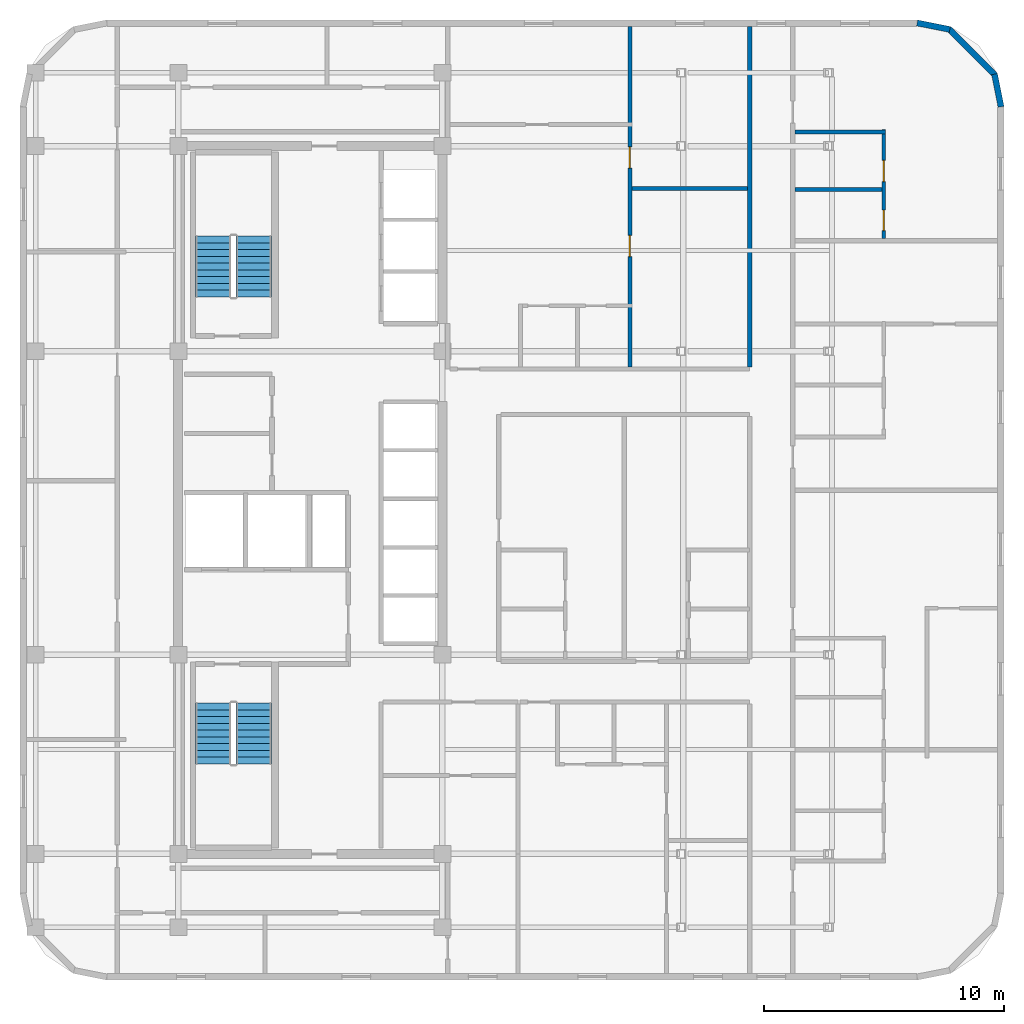
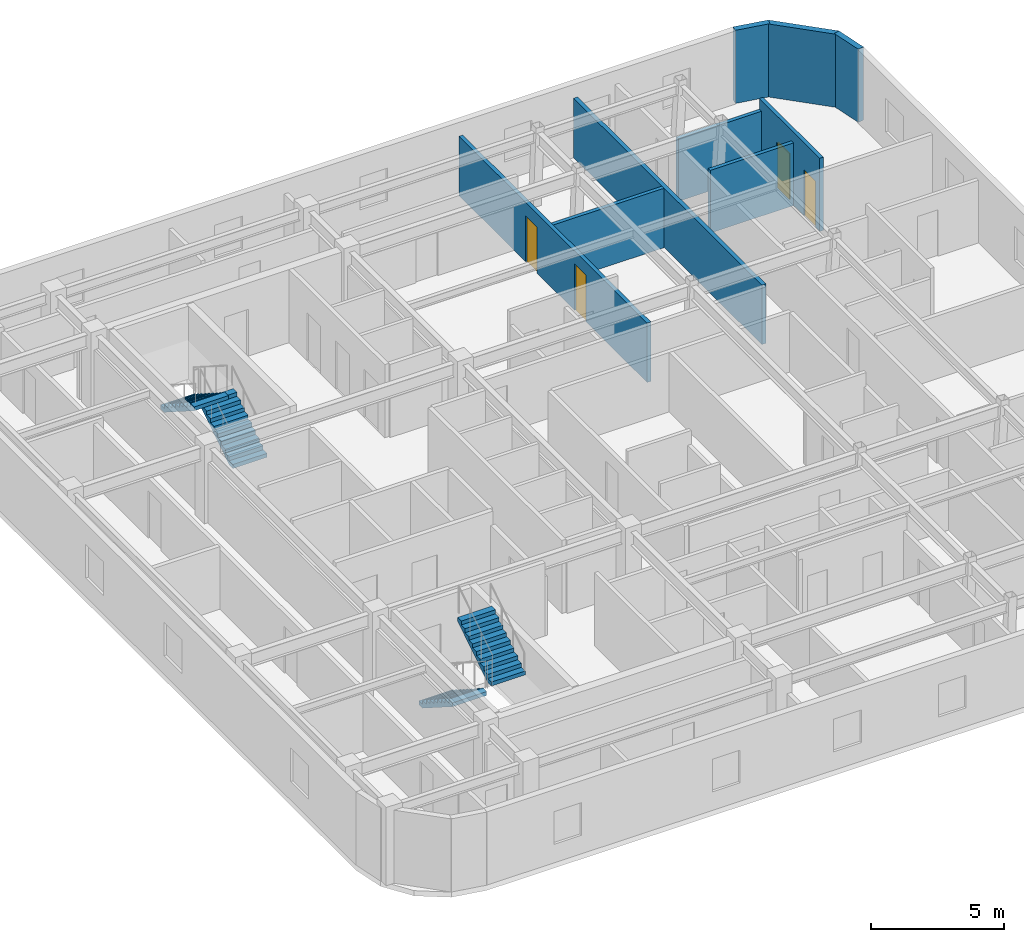
# One storey, part 7 of 8: 9 walls, 4 doors, 4 stair flights, 4 openings, 2 elements without a shape of their own.
"""IFC4 building model written with IfcOpenShell, lengths in metres."""

from ifc_helpers import new_model, si_unit, direction, frame, frame_2d, origin, place, context, subcontext, project, spatial, polyline, rectangle, outline, extrude, material, layer, layer_set, type_object, element, fill, aggregate, save


model = new_model("IFC4")

# Units and contexts
model_context = context("Model", 3, precision=1e-05, world=origin(), true_north=direction((0.0, 1.0)))
body_context = subcontext(model_context, "Body", "Model", "MODEL_VIEW")
ifc_project = project(units=[si_unit("LENGTHUNIT", "METRE"), si_unit("AREAUNIT", "SQUARE_METRE"), si_unit("VOLUMEUNIT", "CUBIC_METRE"), si_unit("PLANEANGLEUNIT", "RADIAN"), si_unit("MASSUNIT", "GRAM", prefix="KILO")], contexts=[model_context])

# Site, building, storey
site_placement = place(None, origin())
site = spatial("IfcSite", under=ifc_project, at=site_placement, CompositionType="ELEMENT")
building_placement = place(site_placement, origin())
building = spatial("IfcBuilding", under=site, at=building_placement, Name="Ochreholt Gables", CompositionType="ELEMENT")
storey_placement = place(building_placement, frame((0.0, 0.0, 148.199951171875)))
storey = spatial("IfcBuildingStorey", under=building, at=storey_placement, Name="L38", CompositionType="ELEMENT", Elevation=148.199951171875)

# Walls
ifc_material_1 = material(Name="Precast concrete 40 MPa", Category="concrete")
ifc_layer_1 = layer(ifc_material_1, 0.25, Name="Precast concrete 40 MPa")
ifc_layer_set_1 = layer_set([ifc_layer_1], Name="Precast concrete 40 MPa")
wall_type_1 = type_object("IfcWallType", Name="WALL-EXT-CNR", PredefinedType="SOLIDWALL", material=ifc_layer_set_1)
wall_1_placement = place(storey_placement, frame((58.475830078125, 40.383544921875, 0.0), z_axis=(0.0, 0.0, 1.0), x_axis=(-0.19496651342, 0.980809899341, 0.0)))
element("IfcWall", 1, at=wall_1_placement, inside=storey, type_object=wall_type_1, Name="L38 Rounded Corner Wall NE-1", PredefinedType="SOLIDWALL", context=body_context, shape_type="SweptSolid", body=[
    extrude(rectangle(XDim=1.388671875, YDim=0.25, at=frame_2d((0.6943359375, 0.0))), origin(), (0.0, 0.0, 1.0), 3.360107421875),
])
wall_2_placement = place(storey_placement, frame((58.23193359375, 41.695068359375, 0.0), z_axis=(0.0, 0.0, 1.0), x_axis=(-0.707106781187, 0.707106781187, 0.0)))
element("IfcWall", 2, at=wall_2_placement, inside=storey, type_object=wall_type_1, Name="L38 Rounded Corner Wall NE-2", PredefinedType="SOLIDWALL", context=body_context, shape_type="SweptSolid", body=[
    extrude(rectangle(XDim=2.7392578125, YDim=0.25, at=frame_2d((1.36962890625, 0.0))), origin(), (0.0, 0.0, 1.0), 3.360107421875),
])
wall_3_placement = place(storey_placement, frame((56.345458984375, 43.60498046875, 0.0), z_axis=(0.0, 0.0, 1.0), x_axis=(-0.980809899341, 0.19496651342, 0.0)))
element("IfcWall", 3, at=wall_3_placement, inside=storey, type_object=wall_type_1, Name="L38 Rounded Corner Wall NE-3", PredefinedType="SOLIDWALL", context=body_context, shape_type="SweptSolid", body=[
    extrude(rectangle(XDim=1.388671875, YDim=0.25, at=frame_2d((0.6943359375, 0.0))), origin(), (0.0, 0.0, 1.0), 3.360107421875),
])
ifc_material_2 = material(Name="Fire-Rated Gypsum Acoustic Partition", Category="gypsum")
ifc_layer_2 = layer(ifc_material_2, 0.179931640625, Name="Fire-Rated Gypsum Acoustic Partition")
ifc_layer_set_2 = layer_set([ifc_layer_2], Name="Fire-Rated Gypsum Acoustic Partition")
wall_type_2 = type_object("IfcWallType", Name="WALL-INT-CR180", PredefinedType="STANDARD", material=ifc_layer_set_2)
wall_4_placement = place(storey_placement, frame((48.0, 29.550048828125, 0.0), z_axis=(0.0, 0.0, 1.0), x_axis=(0.0, 1.0, 0.0)))
element("IfcWall", 4, at=wall_4_placement, inside=storey, type_object=wall_type_2, Name="L38 Interior Wall WI-C2FEGW3-L38", PredefinedType="STANDARD", context=body_context, shape_type="SweptSolid", body=[
    extrude(rectangle(XDim=14.169921875, YDim=0.179931640625, at=frame_2d((7.0849609375, 0.0))), origin(), (0.0, 0.0, 1.0), 2.72998046875),
])
ifc_material_3 = material(Name="Moisture-Resistant Plumbing Chase Wall", Category="gypsum")
ifc_layer_3 = layer(ifc_material_3, 0.159912109375, Name="Moisture-Resistant Plumbing Chase Wall")
ifc_layer_set_3 = layer_set([ifc_layer_3], Name="Moisture-Resistant Plumbing Chase Wall")
wall_type_3 = type_object("IfcWallType", Name="WALL-INT-PL160", PredefinedType="PLUMBINGWALL", material=ifc_layer_set_3)
wall_5_placement = place(storey_placement, frame((49.889892578125, 39.340087890625, 0.0), z_axis=(0.0, 0.0, 1.0), x_axis=(1.0, 0.0, 0.0)))
element("IfcWall", 5, at=wall_5_placement, inside=storey, type_object=wall_type_3, Name="L38 Interior Wall WU-L38FE4-WYN", PredefinedType="PLUMBINGWALL", context=body_context, shape_type="SweptSolid", body=[
    extrude(rectangle(XDim=3.780029296875, YDim=0.159912109375, at=frame_2d((1.89013671875, 0.0))), origin(), (0.0, 0.0, 1.0), 2.879150390625),
])

# Wall, openings, doors
wall_6_placement = place(storey_placement, frame((53.590087890625, 34.889892578125, 0.0), z_axis=(0.0, 0.0, 1.0), x_axis=(0.0, 1.0, 0.0)))
wall_6 = element("IfcWall", 6, at=wall_6_placement, inside=storey, type_object=wall_type_3, Name="L38 Interior Wall WU-L38FE4-WX", PredefinedType="PLUMBINGWALL", context=body_context, shape_type="SweptSolid", body=[
    extrude(rectangle(XDim=4.5400390625, YDim=0.159912109375, at=frame_2d((2.27001953125, 0.0))), origin(), (0.0, 0.0, 1.0), 3.360107421875),
])
opening_1_placement = place(wall_6_placement, frame((0.330078125, 0.0, 0.0)))
opening_1 = element("IfcOpeningElement", 7, at=opening_1_placement, cuts=wall_6, Name="Opening D-BT1", PredefinedType="OPENING", context=body_context, shape_type="SweptSolid", body=[
    extrude(rectangle(XDim=0.860107421875, YDim=2.1201171875, at=frame_2d((0.43017578125, 1.06005859375))), frame((0.0, 0.08984375, 0.0), z_axis=(0.0, -1.0, 0.0), x_axis=(1.0, 0.0, 0.0)), (0.0, 0.0, 1.0), 0.179931640625),
])
opening_2_placement = place(wall_6_placement, frame((2.376953125, 0.0, 0.0)))
opening_2 = element("IfcOpeningElement", 8, at=opening_2_placement, cuts=wall_6, Name="Opening D-GN2", PredefinedType="OPENING", context=body_context, shape_type="SweptSolid", body=[
    extrude(rectangle(XDim=0.8798828125, YDim=2.1201171875, at=frame_2d((0.43994140625, 1.06005859375))), frame((0.0, 0.08984375, 0.0), z_axis=(0.0, -1.0, 0.0), x_axis=(1.0, 0.0, 0.0)), (0.0, 0.0, 1.0), 0.179931640625),
])
ifc_material_4 = material(Name="Engineered Oak Timber", Category="wood")
door_type_1 = type_object("IfcDoorType", Name="DR-INT-BTH860", OperationType="NOTDEFINED", PredefinedType="DOOR", material=ifc_material_4)
door_1_placement = place(opening_1_placement, origin())
door_1 = element("IfcDoor", 9, at=door_1_placement, inside=storey, type_object=door_type_1, Name="L38 Door D-U-L38FE4-BTH", OperationType="SINGLE_SWING_RIGHT", OverallHeight=2.1201171875, OverallWidth=0.860107421875, PredefinedType="DOOR", context=body_context, shape_type="SweptSolid", body=[
    extrude(rectangle(XDim=0.860107421875, YDim=2.1201171875, at=frame_2d((0.43017578125, 1.06005859375))), frame((0.0, 0.02490234375, 0.0), z_axis=(0.0, -1.0, 0.0), x_axis=(1.0, 0.0, 0.0)), (0.0, 0.0, 1.0), 0.050048828125),
])
fill(opening_1, door_1)
door_type_2 = type_object("IfcDoorType", Name="DR-INT-GEN880", OperationType="NOTDEFINED", PredefinedType="DOOR", material=ifc_material_4)
door_2_placement = place(opening_2_placement, origin())
door_2 = element("IfcDoor", 10, at=door_2_placement, inside=storey, type_object=door_type_2, Name="L38 Door D-U-L38FE4-KIT", OperationType="SINGLE_SWING_LEFT", OverallHeight=2.1201171875, OverallWidth=0.8798828125, PredefinedType="DOOR", context=body_context, shape_type="SweptSolid", body=[
    extrude(rectangle(XDim=0.8798828125, YDim=2.1201171875, at=frame_2d((0.43994140625, 1.06005859375))), frame((0.0, 0.02490234375, 0.0), z_axis=(0.0, -1.0, 0.0), x_axis=(1.0, 0.0, 0.0)), (0.0, 0.0, 1.0), 0.050048828125),
])
fill(opening_2, door_2)

# Wall
wall_7_placement = place(storey_placement, frame((49.889892578125, 36.93701171875, 0.0), z_axis=(0.0, 0.0, 1.0), x_axis=(1.0, 0.0, 0.0)))
element("IfcWall", 11, at=wall_7_placement, inside=storey, type_object=wall_type_3, Name="L38 Interior Wall WU-L38FE4-WM", PredefinedType="PLUMBINGWALL", context=body_context, shape_type="SweptSolid", body=[
    extrude(rectangle(XDim=3.6201171875, YDim=0.159912109375, at=frame_2d((1.81005859375, 0.0))), origin(), (0.0, 0.0, 1.0), 2.879150390625),
])

# Wall, openings, doors
ifc_material_5 = material(Name="Gypsum Acoustic Stud Partition", Category="gypsum")
ifc_layer_4 = layer(ifc_material_5, 0.1650390625, Name="Gypsum Acoustic Stud Partition")
ifc_layer_set_4 = layer_set([ifc_layer_4], Name="Gypsum Acoustic Stud Partition")
wall_type_4 = type_object("IfcWallType", Name="WALL-INT-PT165", PredefinedType="PARTITIONING", material=ifc_layer_set_4)
wall_8_placement = place(storey_placement, frame((43.010009765625, 29.550048828125, 0.0), z_axis=(0.0, 0.0, 1.0), x_axis=(0.0, 1.0, 0.0)))
wall_8 = element("IfcWall", 12, at=wall_8_placement, inside=storey, type_object=wall_type_4, Name="L38 Interior Wall WU-L38N1-MNX", PredefinedType="PARTITIONING", context=body_context, shape_type="SweptSolid", body=[
    extrude(rectangle(XDim=14.169921875, YDim=0.1650390625, at=frame_2d((7.0849609375, 0.0))), origin(), (0.0, 0.0, 1.0), 2.72998046875),
])
opening_3_placement = place(wall_8_placement, frame((4.592529296875, 0.0, 0.0)))
opening_3 = element("IfcOpeningElement", 13, at=opening_3_placement, cuts=wall_8, Name="Opening D-BD2", PredefinedType="OPENING", context=body_context, shape_type="SweptSolid", body=[
    extrude(rectangle(XDim=0.8798828125, YDim=2.139892578125, at=frame_2d((0.43994140625, 1.06982421875))), frame((0.0, 0.092529296875, 0.0), z_axis=(0.0, -1.0, 0.0), x_axis=(1.0, 0.0, 0.0)), (0.0, 0.0, 1.0), 0.18505859375),
])
opening_4_placement = place(wall_8_placement, frame((8.280029296875, 0.0, 0.0)))
opening_4 = element("IfcOpeningElement", 14, at=opening_4_placement, cuts=wall_8, Name="Opening D-GN2", PredefinedType="OPENING", context=body_context, shape_type="SweptSolid", body=[
    extrude(rectangle(XDim=0.8798828125, YDim=2.1201171875, at=frame_2d((0.43994140625, 1.06005859375))), frame((0.0, 0.092529296875, 0.0), z_axis=(0.0, -1.0, 0.0), x_axis=(1.0, 0.0, 0.0)), (0.0, 0.0, 1.0), 0.18505859375),
])
door_type_3 = type_object("IfcDoorType", Name="DR-INT-BED880", OperationType="NOTDEFINED", PredefinedType="DOOR", material=ifc_material_4)
door_3_placement = place(opening_3_placement, origin())
door_3 = element("IfcDoor", 15, at=door_3_placement, inside=storey, type_object=door_type_3, Name="L38 Door D-U-L38N1-BD1", OperationType="SINGLE_SWING_LEFT", OverallHeight=2.139892578125, OverallWidth=0.8798828125, PredefinedType="DOOR", context=body_context, shape_type="SweptSolid", body=[
    extrude(rectangle(XDim=0.8798828125, YDim=2.139892578125, at=frame_2d((0.43994140625, 1.06982421875))), frame((0.0, 0.02490234375, 0.0), z_axis=(0.0, -1.0, 0.0), x_axis=(1.0, 0.0, 0.0)), (0.0, 0.0, 1.0), 0.050048828125),
])
fill(opening_3, door_3)
door_4_placement = place(opening_4_placement, origin())
door_4 = element("IfcDoor", 16, at=door_4_placement, inside=storey, type_object=door_type_2, Name="L38 Door D-U-L38N1-BD2", OperationType="SINGLE_SWING_RIGHT", OverallHeight=2.1201171875, OverallWidth=0.8798828125, PredefinedType="DOOR", context=body_context, shape_type="SweptSolid", body=[
    extrude(rectangle(XDim=0.8798828125, YDim=2.1201171875, at=frame_2d((0.43994140625, 1.06005859375))), frame((0.0, 0.02490234375, 0.0), z_axis=(0.0, -1.0, 0.0), x_axis=(1.0, 0.0, 0.0)), (0.0, 0.0, 1.0), 0.050048828125),
])
fill(opening_4, door_4)

# Wall
wall_9_placement = place(storey_placement, frame((43.090087890625, 36.97998046875, 0.0), z_axis=(0.0, 0.0, 1.0), x_axis=(1.0, 0.0, 0.0)))
element("IfcWall", 17, at=wall_9_placement, inside=storey, type_object=wall_type_4, Name="L38 Interior Wall WU-L38N1-RDV", PredefinedType="PARTITIONING", context=body_context, shape_type="SweptSolid", body=[
    extrude(rectangle(XDim=4.81982421875, YDim=0.1650390625, at=frame_2d((2.409912109375, 0.0))), origin(), (0.0, 0.0, 1.0), 2.72998046875),
])

# Stair, stair flights
ifc_material_6 = material(Name="Concrete 40 MPa", Category="concrete")
stair_type_1 = type_object("IfcStairType", Name="STAIR-CORE-ST-1", PredefinedType="HALF_TURN_STAIR", material=ifc_material_6)
stair_1_placement = place(storey_placement, origin())
stair_1 = element("IfcStair", 18, at=stair_1_placement, inside=storey, type_object=stair_type_1, Name="L38 Core Exit Stair 1", PredefinedType="HALF_TURN_STAIR")
stair_flight_type = type_object("IfcStairFlightType", Name="FLIGHT-ST-1480-1800", PredefinedType="STRAIGHT", material=ifc_material_6)
stair_flight_1_placement = place(storey_placement, frame((25.659912109375, 15.5400390625, 0.0), z_axis=(0.0, 0.0, 1.0), x_axis=(0.0, -1.0, 0.0)))
stair_flight_1 = element("IfcStairFlight", 19, at=stair_flight_1_placement, type_object=stair_flight_type, Name="ST-1 flight 1", NumberOfRisers=10, NumberOfTreads=9, PredefinedType="STRAIGHT", RiserHeight=0.18, TreadLength=0.282, context=body_context, shape_type="SweptSolid", body=[
    extrude(outline(polyline([(0.0, 0.0), (0.0, 0.179931640625), (0.281982421875, 0.179931640625), (0.281982421875, 0.360107421875), (0.56396484375, 0.360107421875), (0.56396484375, 0.5400390625), (0.845947265625, 0.5400390625), (0.845947265625, 0.719970703125), (1.1279296875, 0.719970703125), (1.1279296875, 0.89990234375), (1.409912109375, 0.89990234375), (1.409912109375, 1.080078125), (1.69189453125, 1.080078125), (1.69189453125, 1.260009765625), (1.97412109375, 1.260009765625), (1.97412109375, 1.43994140625), (2.256103515625, 1.43994140625), (2.256103515625, 1.6201171875), (2.5380859375, 1.6201171875), (2.5380859375, 1.800048828125), (2.5380859375, 1.442138671875), (0.278564453125, 0.0), (0.0, 0.0)])), frame((0.0, 0.739990234375, 0.0), z_axis=(0.0, -1.0, 0.0), x_axis=(1.0, 0.0, 0.0)), (0.0, 0.0, 1.0), 1.47998046875),
])
stair_flight_2_placement = place(storey_placement, frame((27.340087890625, 13.001953125, 1.800048828125), z_axis=(0.0, 0.0, 1.0), x_axis=(0.0, 1.0, 0.0)))
stair_flight_2 = element("IfcStairFlight", 20, at=stair_flight_2_placement, type_object=stair_flight_type, Name="ST-1 flight 2", NumberOfRisers=10, NumberOfTreads=9, PredefinedType="STRAIGHT", RiserHeight=0.18, TreadLength=0.282, context=body_context, shape_type="SweptSolid", body=[
    extrude(outline(polyline([(0.0, 0.0), (0.0, 0.179931640625), (0.281982421875, 0.179931640625), (0.281982421875, 0.360107421875), (0.56396484375, 0.360107421875), (0.56396484375, 0.5400390625), (0.845947265625, 0.5400390625), (0.845947265625, 0.719970703125), (1.1279296875, 0.719970703125), (1.1279296875, 0.89990234375), (1.409912109375, 0.89990234375), (1.409912109375, 1.080078125), (1.69189453125, 1.080078125), (1.69189453125, 1.260009765625), (1.97412109375, 1.260009765625), (1.97412109375, 1.43994140625), (2.256103515625, 1.43994140625), (2.256103515625, 1.6201171875), (2.5380859375, 1.6201171875), (2.5380859375, 1.800048828125), (2.5380859375, 1.442138671875), (0.278564453125, 0.0), (0.0, 0.0)])), frame((0.0, 0.739990234375, 0.0), z_axis=(0.0, -1.0, 0.0), x_axis=(1.0, 0.0, 0.0)), (0.0, 0.0, 1.0), 1.47998046875),
])
aggregate(stair_1, [stair_flight_1, stair_flight_2])

stair_type_2 = type_object("IfcStairType", Name="STAIR-CORE-ST-2", PredefinedType="HALF_TURN_STAIR", material=ifc_material_6)
stair_2_placement = place(storey_placement, origin())
stair_2 = element("IfcStair", 21, at=stair_2_placement, inside=storey, type_object=stair_type_2, Name="L38 Core Exit Stair 2", PredefinedType="HALF_TURN_STAIR")
stair_flight_3_placement = place(storey_placement, frame((27.340087890625, 32.4599609375, 0.0), z_axis=(0.0, 0.0, 1.0), x_axis=(0.0, 1.0, 0.0)))
stair_flight_3 = element("IfcStairFlight", 22, at=stair_flight_3_placement, type_object=stair_flight_type, Name="ST-2 flight 1", NumberOfRisers=10, NumberOfTreads=9, PredefinedType="STRAIGHT", RiserHeight=0.18, TreadLength=0.282, context=body_context, shape_type="SweptSolid", body=[
    extrude(outline(polyline([(0.0, 0.0), (0.0, 0.179931640625), (0.281982421875, 0.179931640625), (0.281982421875, 0.360107421875), (0.56396484375, 0.360107421875), (0.56396484375, 0.5400390625), (0.845947265625, 0.5400390625), (0.845947265625, 0.719970703125), (1.1279296875, 0.719970703125), (1.1279296875, 0.89990234375), (1.409912109375, 0.89990234375), (1.409912109375, 1.080078125), (1.69189453125, 1.080078125), (1.69189453125, 1.260009765625), (1.97412109375, 1.260009765625), (1.97412109375, 1.43994140625), (2.256103515625, 1.43994140625), (2.256103515625, 1.6201171875), (2.5380859375, 1.6201171875), (2.5380859375, 1.800048828125), (2.5380859375, 1.442138671875), (0.278564453125, 0.0), (0.0, 0.0)])), frame((0.0, 0.739990234375, 0.0), z_axis=(0.0, -1.0, 0.0), x_axis=(1.0, 0.0, 0.0)), (0.0, 0.0, 1.0), 1.47998046875),
])
stair_flight_4_placement = place(storey_placement, frame((25.659912109375, 34.998046875, 1.800048828125), z_axis=(0.0, 0.0, 1.0), x_axis=(0.0, -1.0, 0.0)))
stair_flight_4 = element("IfcStairFlight", 23, at=stair_flight_4_placement, type_object=stair_flight_type, Name="ST-2 flight 2", NumberOfRisers=10, NumberOfTreads=9, PredefinedType="STRAIGHT", RiserHeight=0.18, TreadLength=0.282, context=body_context, shape_type="SweptSolid", body=[
    extrude(outline(polyline([(0.0, 0.0), (0.0, 0.179931640625), (0.281982421875, 0.179931640625), (0.281982421875, 0.360107421875), (0.56396484375, 0.360107421875), (0.56396484375, 0.5400390625), (0.845947265625, 0.5400390625), (0.845947265625, 0.719970703125), (1.1279296875, 0.719970703125), (1.1279296875, 0.89990234375), (1.409912109375, 0.89990234375), (1.409912109375, 1.080078125), (1.69189453125, 1.080078125), (1.69189453125, 1.260009765625), (1.97412109375, 1.260009765625), (1.97412109375, 1.43994140625), (2.256103515625, 1.43994140625), (2.256103515625, 1.6201171875), (2.5380859375, 1.6201171875), (2.5380859375, 1.800048828125), (2.5380859375, 1.442138671875), (0.278564453125, 0.0), (0.0, 0.0)])), frame((0.0, 0.739990234375, 0.0), z_axis=(0.0, -1.0, 0.0), x_axis=(1.0, 0.0, 0.0)), (0.0, 0.0, 1.0), 1.47998046875),
])
aggregate(stair_2, [stair_flight_3, stair_flight_4])

save(model, "model.ifc")
